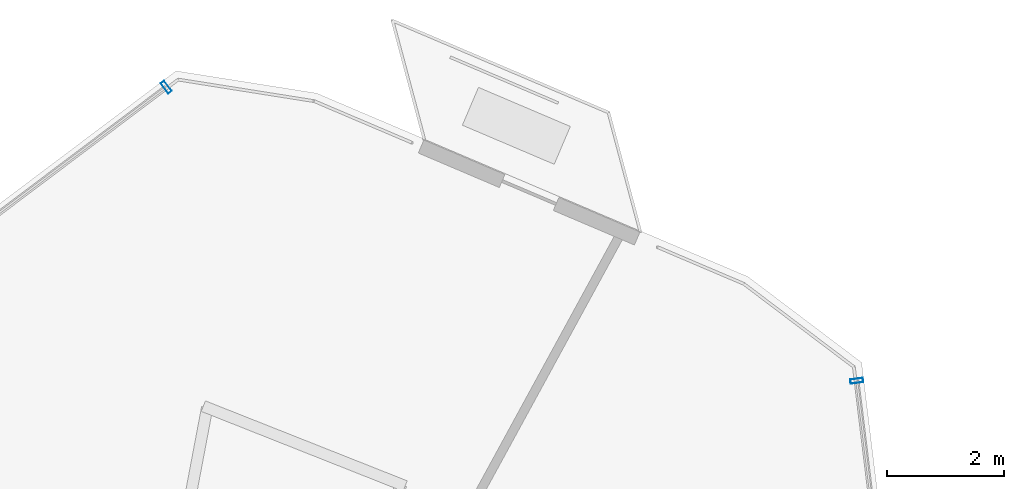
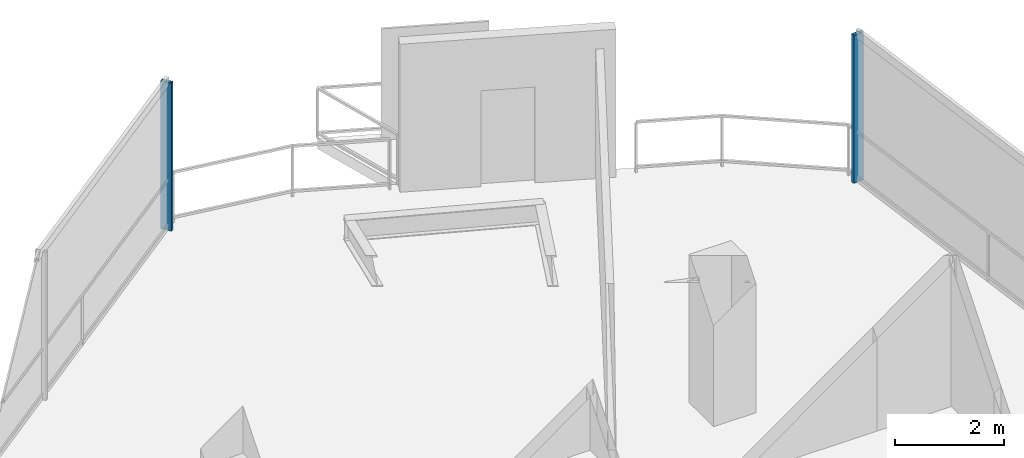
# One storey, part 12 of 18: 2 members, 2 elements without a shape of their own.
"""IFC4 building model written with IfcOpenShell, lengths in metres."""

from ifc_helpers import new_model, si_unit, direction, frame, origin, origin_2d, place, context, subcontext, project, spatial, hollow_rectangle, extrude, material, layer, layer_set, material_profile, profile_set, type_object, element, aggregate, save


model = new_model("IFC4")

# Units and contexts
model_context = context("Model", 3, precision=1e-05, world=origin(), true_north=direction((0.0, 1.0)))
body_context = subcontext(model_context, "Body", "Model", "MODEL_VIEW")
ifc_project = project(units=[si_unit("LENGTHUNIT", "METRE"), si_unit("AREAUNIT", "SQUARE_METRE"), si_unit("VOLUMEUNIT", "CUBIC_METRE"), si_unit("PLANEANGLEUNIT", "RADIAN"), si_unit("MASSUNIT", "GRAM", prefix="KILO")], contexts=[model_context])

# Site, building, storey
site_placement = place(None, origin())
site = spatial("IfcSite", under=ifc_project, at=site_placement, CompositionType="ELEMENT")
building_placement = place(site_placement, origin())
building = spatial("IfcBuilding", under=site, at=building_placement, Name="Qarnah Convention Tower", CompositionType="ELEMENT")
storey_placement = place(building_placement, frame((0.0, 0.0, 205.800048828125)))
storey = spatial("IfcBuildingStorey", under=building, at=storey_placement, Name="L55", CompositionType="ELEMENT", Elevation=205.800048828125)

# Curtain wall, member
ifc_material_1 = material(Name="Tempered Low-E dark glass", Category="glass")
ifc_layer = layer(ifc_material_1, 0.174072265625)
ifc_layer_set = layer_set([ifc_layer], Name="Tempered Low-E dark glass")
curtain_wall_type = type_object("IfcCurtainWallType", Name="CWS-04", PredefinedType="NOTDEFINED", material=ifc_layer_set)
curtain_wall_1_placement = place(storey_placement, origin())
curtain_wall_1 = element("IfcCurtainWall", 1, at=curtain_wall_1_placement, inside=storey, type_object=curtain_wall_type, Name="L55 unitised curtain wall CW-L55-F2", PredefinedType="NOTDEFINED")
ifc_material_2 = material(Name="Black anodised aluminium", Category="aluminium")
ifc_material_profile = material_profile(ifc_material_2, hollow_rectangle(XDim=0.074951171875, YDim=0.219970703125, WallThickness=0.0048828125, at=origin_2d()), Name="MUL-75X220")
ifc_profile_set = profile_set([ifc_material_profile], Name="Black anodised aluminium")
member_type = type_object("IfcMemberType", Name="MUL-T4", PredefinedType="MULLION", material=ifc_profile_set)
member_1_placement = place(storey_placement, frame((39.5380859375, 47.907958984375, 0.0), z_axis=(0.0, 0.0, 1.0), x_axis=(0.799033812061, 0.601286094287, 0.0)))
member_1 = element("IfcMember", 2, at=member_1_placement, type_object=member_type, Name="CW-L55-F2 mullion 6", PredefinedType="MULLION", context=body_context, shape_type="SweptSolid", body=[
    extrude(hollow_rectangle(XDim=0.074951171875, YDim=0.219970703125, WallThickness=0.0048828125, at=origin_2d()), origin(), (0.0, 0.0, 1.0), 3.320068359375),
])
aggregate(curtain_wall_1, [member_1])

curtain_wall_2_placement = place(storey_placement, origin())
curtain_wall_2 = element("IfcCurtainWall", 3, at=curtain_wall_2_placement, inside=storey, type_object=curtain_wall_type, Name="L55 unitised curtain wall CW-L55-F3", PredefinedType="NOTDEFINED")
member_2_placement = place(storey_placement, frame((51.302001953125, 42.905029296875, 0.0), z_axis=(0.0, 0.0, 1.0), x_axis=(0.121219125701, -0.992625772164, 0.0)))
member_2 = element("IfcMember", 4, at=member_2_placement, type_object=member_type, Name="CW-L55-F3 mullion 1", PredefinedType="MULLION", context=body_context, shape_type="SweptSolid", body=[
    extrude(hollow_rectangle(XDim=0.074951171875, YDim=0.219970703125, WallThickness=0.0048828125, at=origin_2d()), origin(), (0.0, 0.0, 1.0), 3.320068359375),
])
aggregate(curtain_wall_2, [member_2])

save(model, "model.ifc")
